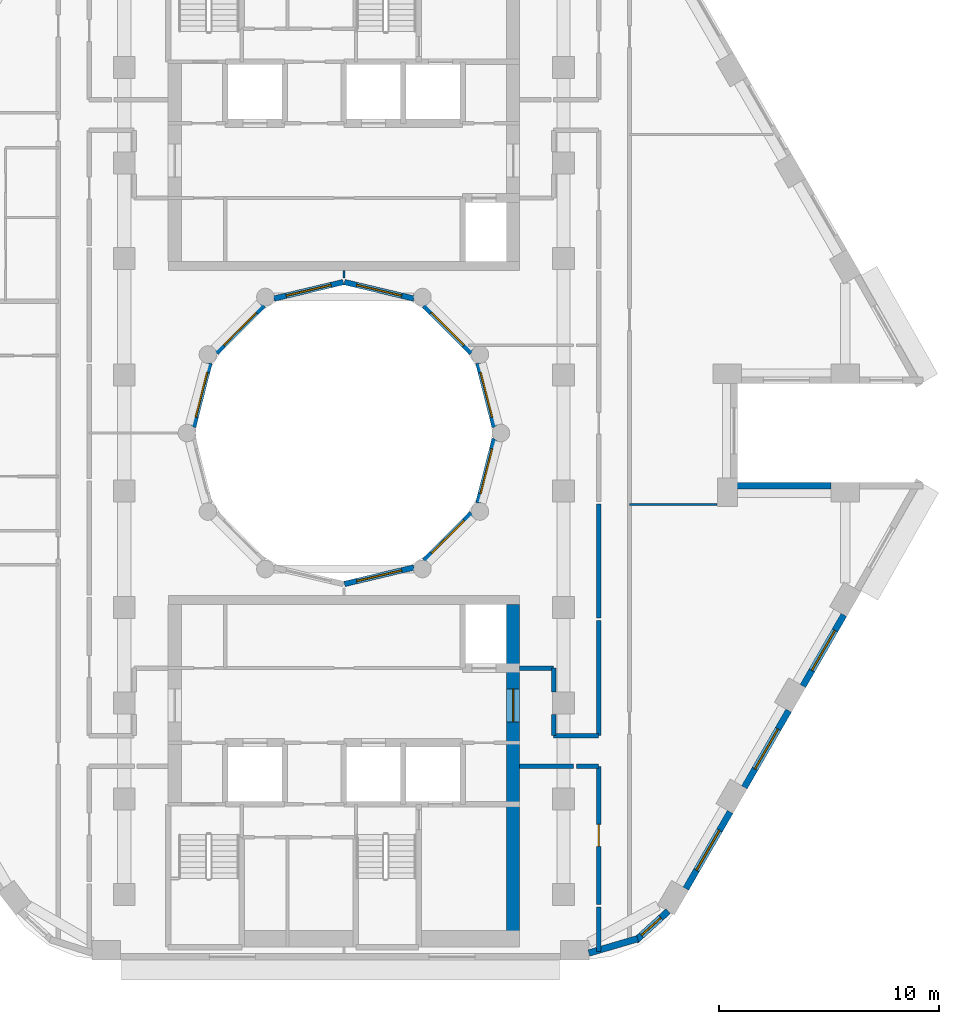
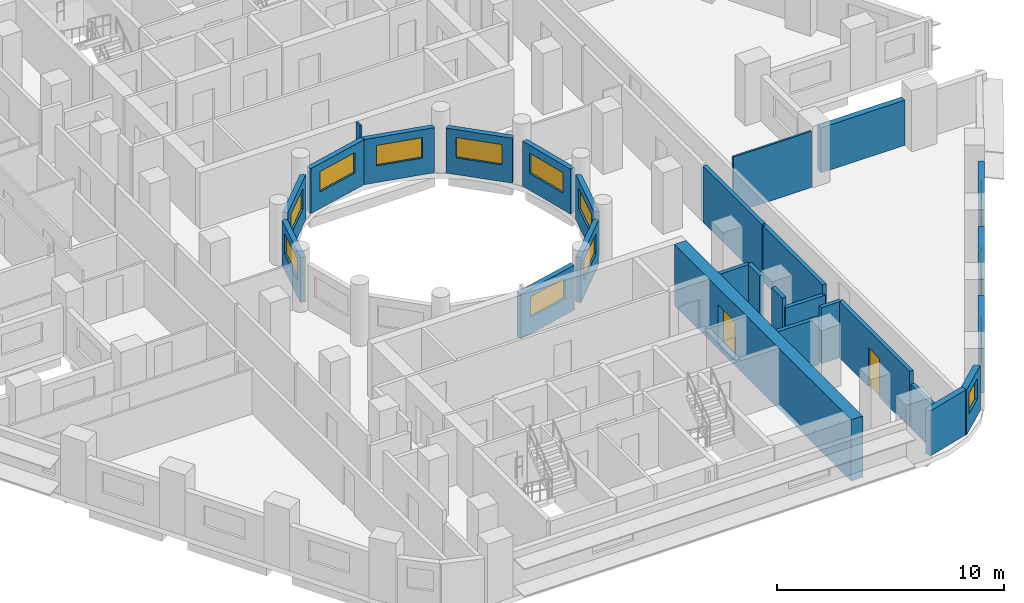
# One storey, part 5 of 13: 28 walls, 13 windows, 2 doors, 15 openings.
"""IFC4 building model written with IfcOpenShell, lengths in metres."""

from ifc_helpers import new_model, si_unit, direction, frame, frame_2d, origin, place, context, subcontext, project, spatial, rectangle, extrude, material, layer, layer_set, type_object, element, fill, save


model = new_model("IFC4")

# Units and contexts
model_context = context("Model", 3, precision=1e-05, world=origin(), true_north=direction((0.0, 1.0)))
body_context = subcontext(model_context, "Body", "Model", "MODEL_VIEW")
ifc_project = project(units=[si_unit("LENGTHUNIT", "METRE"), si_unit("AREAUNIT", "SQUARE_METRE"), si_unit("VOLUMEUNIT", "CUBIC_METRE"), si_unit("PLANEANGLEUNIT", "RADIAN"), si_unit("MASSUNIT", "GRAM", prefix="KILO")], contexts=[model_context])

# Site, building, storey
site_placement = place(None, origin())
site = spatial("IfcSite", under=ifc_project, at=site_placement, CompositionType="ELEMENT")
building_placement = place(site_placement, origin())
building = spatial("IfcBuilding", under=site, at=building_placement, Name="Nakaniwa Court", CompositionType="ELEMENT")
storey_placement = place(building_placement, frame((0.0, 0.0, 130.5)))
storey = spatial("IfcBuildingStorey", under=building, at=storey_placement, Name="L33", CompositionType="ELEMENT", Elevation=130.5)

# Wall
ifc_material_1 = material(Name="Acoustic double stud partition")
ifc_layer_1 = layer(ifc_material_1, 0.199951171875)
ifc_layer_set_1 = layer_set([ifc_layer_1], Name="Acoustic double stud partition")
wall_type_1 = type_object("IfcWallType", Name="Acoustic double stud partition 200", PredefinedType="PARTITIONING", material=ifc_layer_set_1)
wall_1_placement = place(storey_placement, frame((91.60009765625, 56.40087890625, 0.0), z_axis=(0.0, 0.0, 1.0), x_axis=(0.0, 1.0, 0.0)))
element("IfcWall", 1, at=wall_1_placement, inside=storey, type_object=wall_type_1, Name="Partition PW-065", PredefinedType="PARTITIONING", context=body_context, shape_type="SweptSolid", body=[
    extrude(rectangle(XDim=2.02197265625, YDim=0.199951171875, at=frame_2d((1.010986328125, 0.0))), origin(), (0.0, 0.0, 1.0), 2.405029296875),
])

# Wall, opening, door
wall_2_placement = place(storey_placement, frame((91.60009765625, 58.537109375, 0.0), z_axis=(0.0, 0.0, 1.0), x_axis=(0.0, 1.0, 0.0)))
wall_2 = element("IfcWall", 2, at=wall_2_placement, inside=storey, type_object=wall_type_1, Name="Partition PW-066", PredefinedType="PARTITIONING", context=body_context, shape_type="SweptSolid", body=[
    extrude(rectangle(XDim=6.287841796875, YDim=0.199951171875, at=frame_2d((3.14404296875, 0.0))), origin(), (0.0, 0.0, 1.0), 3.02490234375),
])
opening_1_placement = place(wall_2_placement, frame((2.64501953125, 0.0, 0.0)))
opening_1 = element("IfcOpeningElement", 3, at=opening_1_placement, cuts=wall_2, Name="Opening D-02-01", PredefinedType="OPENING", context=body_context, shape_type="SweptSolid", body=[
    extrude(rectangle(XDim=1.0, YDim=2.10009765625, at=frame_2d((0.5, 1.050048828125))), frame((0.0, 0.10986328125, 0.0), z_axis=(0.0, -1.0, 0.0), x_axis=(1.0, 0.0, 0.0)), (0.0, 0.0, 1.0), 0.219970703125),
])
ifc_material_2 = material(Name="Solid core timber door set, black veneer", Category="wood")
door_type_1 = type_object("IfcDoorType", Name="Internal door 1000", OperationType="NOTDEFINED", PredefinedType="DOOR", material=ifc_material_2)
door_1_placement = place(opening_1_placement, origin())
door_1 = element("IfcDoor", 4, at=door_1_placement, inside=storey, type_object=door_type_1, Name="Door D-02-01 L33-021", OperationType="SINGLE_SWING_RIGHT", OverallHeight=2.10009765625, OverallWidth=1.0, PredefinedType="DOOR", context=body_context, shape_type="SweptSolid", body=[
    extrude(rectangle(XDim=1.0, YDim=2.10009765625, at=frame_2d((0.5, 1.050048828125))), frame((0.0, 0.02490234375, 0.0), z_axis=(0.0, -1.0, 0.0), x_axis=(1.0, 0.0, 0.0)), (0.0, 0.0, 1.0), 0.050048828125),
])
fill(opening_1, door_1)

# Walls
wall_3_placement = place(storey_placement, frame((91.60009765625, 66.22509765625, 0.0), z_axis=(0.0, 0.0, 1.0), x_axis=(0.0, 1.0, 0.0)))
element("IfcWall", 5, at=wall_3_placement, inside=storey, type_object=wall_type_1, Name="Partition PW-067", PredefinedType="PARTITIONING", context=body_context, shape_type="SweptSolid", body=[
    extrude(rectangle(XDim=5.247802734375, YDim=0.199951171875, at=frame_2d((2.6240234375, 0.0))), origin(), (0.0, 0.0, 1.0), 3.02490234375),
])
wall_4_placement = place(storey_placement, frame((91.60009765625, 71.587158203125, 0.0), z_axis=(0.0, 0.0, 1.0), x_axis=(0.0, 1.0, 0.0)))
element("IfcWall", 6, at=wall_4_placement, inside=storey, type_object=wall_type_1, Name="Partition PW-068", PredefinedType="PARTITIONING", context=body_context, shape_type="SweptSolid", body=[
    extrude(rectangle(XDim=5.185546875, YDim=0.199951171875, at=frame_2d((2.5927734375, 0.0))), origin(), (0.0, 0.0, 1.0), 3.02490234375),
])
wall_5_placement = place(storey_placement, frame((88.0, 64.824951171875, 0.0), z_axis=(0.0, 0.0, 1.0), x_axis=(1.0, 0.0, 0.0)))
element("IfcWall", 7, at=wall_5_placement, inside=storey, type_object=wall_type_1, Name="Partition PW-075", PredefinedType="PARTITIONING", context=body_context, shape_type="SweptSolid", body=[
    extrude(rectangle(XDim=2.462890625, YDim=0.199951171875, at=frame_2d((1.2314453125, 0.0))), origin(), (0.0, 0.0, 1.0), 2.5048828125),
])
wall_6_placement = place(storey_placement, frame((90.5771484375, 64.824951171875, 0.0), z_axis=(0.0, 0.0, 1.0), x_axis=(1.0, 0.0, 0.0)))
element("IfcWall", 8, at=wall_6_placement, inside=storey, type_object=wall_type_1, Name="Partition PW-076", PredefinedType="PARTITIONING", context=body_context, shape_type="SweptSolid", body=[
    extrude(rectangle(XDim=1.02294921875, YDim=0.199951171875, at=frame_2d((0.511474609375, 0.0))), origin(), (0.0, 0.0, 1.0), 3.02490234375),
])
wall_7_placement = place(storey_placement, frame((88.0, 69.300048828125, 0.0), z_axis=(0.0, 0.0, 1.0), x_axis=(1.0, 0.0, 0.0)))
element("IfcWall", 9, at=wall_7_placement, inside=storey, type_object=wall_type_1, Name="Partition PW-079", PredefinedType="PARTITIONING", context=body_context, shape_type="SweptSolid", body=[
    extrude(rectangle(XDim=1.550048828125, YDim=0.199951171875, at=frame_2d((0.77490234375, 0.0))), origin(), (0.0, 0.0, 1.0), 3.02490234375),
])
wall_8_placement = place(storey_placement, frame((89.550048828125, 66.22509765625, 0.0), z_axis=(0.0, 0.0, 1.0), x_axis=(0.0, 1.0, 0.0)))
element("IfcWall", 10, at=wall_8_placement, inside=storey, type_object=wall_type_1, Name="Partition PW-080", PredefinedType="PARTITIONING", context=body_context, shape_type="SweptSolid", body=[
    extrude(rectangle(XDim=0.957763671875, YDim=0.199951171875, at=frame_2d((0.47900390625, 0.0))), origin(), (0.0, 0.0, 1.0), 3.02490234375),
])
wall_9_placement = place(storey_placement, frame((89.550048828125, 68.21728515625, 0.0), z_axis=(0.0, 0.0, 1.0), x_axis=(0.0, 1.0, 0.0)))
element("IfcWall", 11, at=wall_9_placement, inside=storey, type_object=wall_type_1, Name="Partition PW-081", PredefinedType="PARTITIONING", context=body_context, shape_type="SweptSolid", body=[
    extrude(rectangle(XDim=1.082763671875, YDim=0.199951171875, at=frame_2d((0.54150390625, 0.0))), origin(), (0.0, 0.0, 1.0), 3.02490234375),
])
wall_10_placement = place(storey_placement, frame((89.550048828125, 66.22509765625, 0.0), z_axis=(0.0, 0.0, 1.0), x_axis=(1.0, 0.0, 0.0)))
element("IfcWall", 12, at=wall_10_placement, inside=storey, type_object=wall_type_1, Name="Partition PW-085", PredefinedType="PARTITIONING", context=body_context, shape_type="SweptSolid", body=[
    extrude(rectangle(XDim=2.050048828125, YDim=0.199951171875, at=frame_2d((1.02490234375, 0.0))), origin(), (0.0, 0.0, 1.0), 2.5048828125),
])
ifc_material_3 = material(Name="Charcoal ceramic cladding")
ifc_layer_2 = layer(ifc_material_3, 0.02, Name="Ceramic cladding")
ifc_material_4 = material(Name="Ventilated air cavity")
ifc_layer_3 = layer(ifc_material_4, 0.04, ventilated=True, Name="Ventilated cavity")
ifc_material_5 = material(Name="Mineral wool insulation")
ifc_layer_4 = layer(ifc_material_5, 0.1, Name="Insulation")
ifc_material_6 = material(Name="Cement bonded sheathing board")
ifc_layer_5 = layer(ifc_material_6, 0.012, Name="Sheathing")
ifc_material_7 = material(Name="Cold-formed galvanised stud frame with mineral wool infill")
ifc_layer_6 = layer(ifc_material_7, 0.1, Name="Stud frame")
ifc_material_8 = material(Name="Fire-rated gypsum plasterboard lining")
ifc_layer_7 = layer(ifc_material_8, 0.028, Name="Lining")
ifc_layer_set_2 = layer_set([ifc_layer_2, ifc_layer_3, ifc_layer_4, ifc_layer_5, ifc_layer_6, ifc_layer_7], Name="Charcoal ceramic faced external wall system")
wall_type_2 = type_object("IfcWallType", Name="Black ceramic faced external wall 300", PredefinedType="SOLIDWALL", material=ifc_layer_set_2)
wall_11_placement = place(storey_placement, frame((91.1533203125, 56.328125, 0.0), z_axis=(0.0, 0.0, 1.0), x_axis=(0.959473072336, 0.281800325517, 0.0)))
element("IfcWall", 13, at=wall_11_placement, inside=storey, type_object=wall_type_2, Name="L33 external wall 27", PredefinedType="SOLIDWALL", context=body_context, shape_type="SweptSolid", body=[
    extrude(rectangle(XDim=2.3115234375, YDim=0.300048828125, at=frame_2d((1.15576171875, 0.0))), origin(), (0.0, 0.0, 1.0), 2.425048828125),
])

# Wall, opening, window
wall_12_placement = place(storey_placement, frame((93.2783203125, 56.890380859375, 0.0), z_axis=(0.0, 0.0, 1.0), x_axis=(0.740652597499, 0.671888182526, 0.0)))
wall_12 = element("IfcWall", 14, at=wall_12_placement, inside=storey, type_object=wall_type_2, Name="L33 external wall 28", PredefinedType="SOLIDWALL", context=body_context, shape_type="SweptSolid", body=[
    extrude(rectangle(XDim=1.998779296875, YDim=0.300048828125, at=frame_2d((0.99951171875, 0.0))), origin(), (0.0, 0.0, 1.0), 2.425048828125),
])
opening_2_placement = place(wall_12_placement, frame((0.359619140625, 0.0, 0.89990234375)))
opening_2 = element("IfcOpeningElement", 15, at=opening_2_placement, cuts=wall_12, Name="Opening W6.29", PredefinedType="OPENING", context=body_context, shape_type="SweptSolid", body=[
    extrude(rectangle(XDim=1.199951171875, YDim=1.10009765625, at=frame_2d((0.60009765625, 0.550048828125))), frame((0.0, 0.159912109375, 0.0), z_axis=(0.0, -1.0, 0.0), x_axis=(1.0, 0.0, 0.0)), (0.0, 0.0, 1.0), 0.320068359375),
])
ifc_material_9 = material(Name="Black anodised aluminium frame with dark low-E laminated double glazing", Category="aluminium")
window_type_1 = type_object("IfcWindowType", Name="Dark glass window 1200x1100 sill 900", PartitioningType="SINGLE_PANEL", PredefinedType="WINDOW", material=ifc_material_9)
window_1_placement = place(opening_2_placement, origin())
window_1 = element("IfcWindow", 16, at=window_1_placement, inside=storey, type_object=window_type_1, Name="L33 habitable room window 28-0", OverallHeight=1.10009765625, OverallWidth=1.199951171875, PartitioningType="SINGLE_PANEL", PredefinedType="WINDOW", context=body_context, shape_type="SweptSolid", body=[
    extrude(rectangle(XDim=1.199951171875, YDim=1.10009765625, at=frame_2d((0.60009765625, 0.550048828125))), frame((0.0, 0.030029296875, 0.0), z_axis=(0.0, -1.0, 0.0), x_axis=(1.0, 0.0, 0.0)), (0.0, 0.0, 1.0), 0.06005859375),
])
fill(opening_2, window_1)

wall_13_placement = place(storey_placement, frame((95.565185546875, 59.260009765625, 0.0), z_axis=(0.0, 0.0, 1.0), x_axis=(0.500031546601, 0.86600718958, 0.0)))
wall_13 = element("IfcWall", 17, at=wall_13_placement, inside=storey, type_object=wall_type_2, Name="L33 external wall 29", PredefinedType="SOLIDWALL", context=body_context, shape_type="SweptSolid", body=[
    extrude(rectangle(XDim=4.033935546875, YDim=0.300048828125, at=frame_2d((2.01708984375, 0.0))), origin(), (0.0, 0.0, 1.0), 2.425048828125),
])
opening_3_placement = place(wall_13_placement, frame((0.967041015625, 0.0, 0.89990234375)))
opening_3 = element("IfcOpeningElement", 18, at=opening_3_placement, cuts=wall_13, Name="Opening W7.30", PredefinedType="OPENING", context=body_context, shape_type="SweptSolid", body=[
    extrude(rectangle(XDim=2.10009765625, YDim=1.10009765625, at=frame_2d((1.050048828125, 0.550048828125))), frame((0.0, 0.159912109375, 0.0), z_axis=(0.0, -1.0, 0.0), x_axis=(1.0, 0.0, 0.0)), (0.0, 0.0, 1.0), 0.320068359375),
])
window_type_2 = type_object("IfcWindowType", Name="Dark glass window 2100x1100 sill 900", PartitioningType="SINGLE_PANEL", PredefinedType="WINDOW", material=ifc_material_9)
window_2_placement = place(opening_3_placement, origin())
window_2 = element("IfcWindow", 19, at=window_2_placement, inside=storey, type_object=window_type_2, Name="L33 habitable room window 29-0", OverallHeight=1.10009765625, OverallWidth=2.10009765625, PartitioningType="SINGLE_PANEL", PredefinedType="WINDOW", context=body_context, shape_type="SweptSolid", body=[
    extrude(rectangle(XDim=2.10009765625, YDim=1.10009765625, at=frame_2d((1.050048828125, 0.550048828125))), frame((0.0, 0.030029296875, 0.0), z_axis=(0.0, -1.0, 0.0), x_axis=(1.0, 0.0, 0.0)), (0.0, 0.0, 1.0), 0.06005859375),
])
fill(opening_3, window_2)

wall_14_placement = place(storey_placement, frame((98.228271484375, 63.872314453125, 0.0), z_axis=(0.0, 0.0, 1.0), x_axis=(0.500031546601, 0.86600718958, 0.0)))
wall_14 = element("IfcWall", 20, at=wall_14_placement, inside=storey, type_object=wall_type_2, Name="L33 external wall 30", PredefinedType="SOLIDWALL", context=body_context, shape_type="SweptSolid", body=[
    extrude(rectangle(XDim=4.033935546875, YDim=0.300048828125, at=frame_2d((2.01708984375, 0.0))), origin(), (0.0, 0.0, 1.0), 2.425048828125),
])
opening_4_placement = place(wall_14_placement, frame((0.966796875, 0.0, 0.89990234375)))
opening_4 = element("IfcOpeningElement", 21, at=opening_4_placement, cuts=wall_14, Name="Opening W7.31", PredefinedType="OPENING", context=body_context, shape_type="SweptSolid", body=[
    extrude(rectangle(XDim=2.10009765625, YDim=1.10009765625, at=frame_2d((1.050048828125, 0.550048828125))), frame((0.0, 0.159912109375, 0.0), z_axis=(0.0, -1.0, 0.0), x_axis=(1.0, 0.0, 0.0)), (0.0, 0.0, 1.0), 0.320068359375),
])
window_3_placement = place(opening_4_placement, origin())
window_3 = element("IfcWindow", 22, at=window_3_placement, inside=storey, type_object=window_type_2, Name="L33 habitable room window 30-0", OverallHeight=1.10009765625, OverallWidth=2.10009765625, PartitioningType="SINGLE_PANEL", PredefinedType="WINDOW", context=body_context, shape_type="SweptSolid", body=[
    extrude(rectangle(XDim=2.10009765625, YDim=1.10009765625, at=frame_2d((1.050048828125, 0.550048828125))), frame((0.0, 0.030029296875, 0.0), z_axis=(0.0, -1.0, 0.0), x_axis=(1.0, 0.0, 0.0)), (0.0, 0.0, 1.0), 0.06005859375),
])
fill(opening_4, window_3)

wall_15_placement = place(storey_placement, frame((100.891357421875, 68.484619140625, 0.0), z_axis=(0.0, 0.0, 1.0), x_axis=(0.499933594891, 0.866063739398, 0.0)))
wall_15 = element("IfcWall", 23, at=wall_15_placement, inside=storey, type_object=wall_type_2, Name="L33 external wall 31", PredefinedType="SOLIDWALL", context=body_context, shape_type="SweptSolid", body=[
    extrude(rectangle(XDim=3.73681640625, YDim=0.300048828125, at=frame_2d((1.868408203125, 0.0))), origin(), (0.0, 0.0, 1.0), 2.425048828125),
])
opening_5_placement = place(wall_15_placement, frame((0.818359375, 0.0, 0.89990234375)))
opening_5 = element("IfcOpeningElement", 24, at=opening_5_placement, cuts=wall_15, Name="Opening W7.32", PredefinedType="OPENING", context=body_context, shape_type="SweptSolid", body=[
    extrude(rectangle(XDim=2.10009765625, YDim=1.10009765625, at=frame_2d((1.050048828125, 0.550048828125))), frame((0.0, 0.159912109375, 0.0), z_axis=(0.0, -1.0, 0.0), x_axis=(1.0, 0.0, 0.0)), (0.0, 0.0, 1.0), 0.320068359375),
])
window_4_placement = place(opening_5_placement, origin())
window_4 = element("IfcWindow", 25, at=window_4_placement, inside=storey, type_object=window_type_2, Name="L33 habitable room window 31-0", OverallHeight=1.10009765625, OverallWidth=2.10009765625, PartitioningType="SINGLE_PANEL", PredefinedType="WINDOW", context=body_context, shape_type="SweptSolid", body=[
    extrude(rectangle(XDim=2.10009765625, YDim=1.10009765625, at=frame_2d((1.050048828125, 0.550048828125))), frame((0.0, 0.030029296875, 0.0), z_axis=(0.0, -1.0, 0.0), x_axis=(1.0, 0.0, 0.0)), (0.0, 0.0, 1.0), 0.06005859375),
])
fill(opening_5, window_4)

# Wall
wall_16_placement = place(storey_placement, frame((102.177001953125, 77.60009765625, 0.0), z_axis=(0.0, 0.0, 1.0), x_axis=(-1.0, 0.0, 0.0)))
element("IfcWall", 26, at=wall_16_placement, inside=storey, type_object=wall_type_2, Name="L33 external wall 34", PredefinedType="SOLIDWALL", context=body_context, shape_type="SweptSolid", body=[
    extrude(rectangle(XDim=4.272705078125, YDim=0.300048828125, at=frame_2d((2.13623046875, 0.0))), origin(), (0.0, 0.0, 1.0), 2.425048828125),
])

# Wall, opening, window
ifc_layer_8 = layer(ifc_material_3, 0.02, Name="Ceramic cladding")
ifc_layer_9 = layer(ifc_material_4, 0.04, ventilated=True, Name="Ventilated cavity")
ifc_layer_10 = layer(ifc_material_5, 0.075, Name="Insulation")
ifc_layer_11 = layer(ifc_material_6, 0.012, Name="Sheathing")
ifc_layer_12 = layer(ifc_material_7, 0.075, Name="Stud frame")
ifc_layer_13 = layer(ifc_material_8, 0.028, Name="Lining")
ifc_layer_set_3 = layer_set([ifc_layer_8, ifc_layer_9, ifc_layer_10, ifc_layer_11, ifc_layer_12, ifc_layer_13], Name="Charcoal ceramic faced external wall system")
wall_type_3 = type_object("IfcWallType", Name="Charcoal ceramic faced well wall 250", PredefinedType="SOLIDWALL", material=ifc_layer_set_3)
wall_17_placement = place(storey_placement, frame((86.8603515625, 79.72998046875, 0.0), z_axis=(0.0, 0.0, 1.0), x_axis=(-0.247055971283, -0.969001211069, 0.0)))
wall_17 = element("IfcWall", 27, at=wall_17_placement, inside=storey, type_object=wall_type_3, Name="L33 external wall 36", PredefinedType="SOLIDWALL", context=body_context, shape_type="SweptSolid", body=[
    extrude(rectangle(XDim=3.010009765625, YDim=0.25, at=frame_2d((1.5048828125, 0.0))), origin(), (0.0, 0.0, 1.0), 2.425048828125),
])
opening_6_placement = place(wall_17_placement, frame((0.46875, 0.0, 0.89990234375)))
opening_6 = element("IfcOpeningElement", 28, at=opening_6_placement, cuts=wall_17, Name="Opening W7.35", PredefinedType="OPENING", context=body_context, shape_type="SweptSolid", body=[
    extrude(rectangle(XDim=2.10009765625, YDim=1.10009765625, at=frame_2d((1.050048828125, 0.550048828125))), frame((0.0, 0.135009765625, 0.0), z_axis=(0.0, -1.0, 0.0), x_axis=(1.0, 0.0, 0.0)), (0.0, 0.0, 1.0), 0.27001953125),
])
window_5_placement = place(opening_6_placement, origin())
window_5 = element("IfcWindow", 29, at=window_5_placement, inside=storey, type_object=window_type_2, Name="L33 habitable room window 36-0", OverallHeight=1.10009765625, OverallWidth=2.10009765625, PartitioningType="SINGLE_PANEL", PredefinedType="WINDOW", context=body_context, shape_type="SweptSolid", body=[
    extrude(rectangle(XDim=2.10009765625, YDim=1.10009765625, at=frame_2d((1.050048828125, 0.550048828125))), frame((0.0, 0.030029296875, 0.0), z_axis=(0.0, -1.0, 0.0), x_axis=(1.0, 0.0, 0.0)), (0.0, 0.0, 1.0), 0.06005859375),
])
fill(opening_6, window_5)

wall_18_placement = place(storey_placement, frame((85.8056640625, 76.339111328125, 0.0), z_axis=(0.0, 0.0, 1.0), x_axis=(-0.707106781187, -0.707106781187, 0.0)))
wall_18 = element("IfcWall", 30, at=wall_18_placement, inside=storey, type_object=wall_type_3, Name="L33 external wall 37", PredefinedType="SOLIDWALL", context=body_context, shape_type="SweptSolid", body=[
    extrude(rectangle(XDim=3.033203125, YDim=0.25, at=frame_2d((1.5166015625, 0.0))), origin(), (0.0, 0.0, 1.0), 2.425048828125),
])
opening_7_placement = place(wall_18_placement, frame((0.466552734375, 0.0, 0.89990234375)))
opening_7 = element("IfcOpeningElement", 31, at=opening_7_placement, cuts=wall_18, Name="Opening W7.36", PredefinedType="OPENING", context=body_context, shape_type="SweptSolid", body=[
    extrude(rectangle(XDim=2.10009765625, YDim=1.10009765625, at=frame_2d((1.050048828125, 0.550048828125))), frame((0.0, 0.135009765625, 0.0), z_axis=(0.0, -1.0, 0.0), x_axis=(1.0, 0.0, 0.0)), (0.0, 0.0, 1.0), 0.27001953125),
])
window_6_placement = place(opening_7_placement, origin())
window_6 = element("IfcWindow", 32, at=window_6_placement, inside=storey, type_object=window_type_2, Name="L33 habitable room window 37-0", OverallHeight=1.10009765625, OverallWidth=2.10009765625, PartitioningType="SINGLE_PANEL", PredefinedType="WINDOW", context=body_context, shape_type="SweptSolid", body=[
    extrude(rectangle(XDim=2.10009765625, YDim=1.10009765625, at=frame_2d((1.050048828125, 0.550048828125))), frame((0.0, 0.030029296875, 0.0), z_axis=(0.0, -1.0, 0.0), x_axis=(1.0, 0.0, 0.0)), (0.0, 0.0, 1.0), 0.06005859375),
])
fill(opening_7, window_6)

wall_19_placement = place(storey_placement, frame((83.186279296875, 73.880615234375, 0.0), z_axis=(0.0, 0.0, 1.0), x_axis=(-0.972773113459, -0.231759508395, 0.0)))
wall_19 = element("IfcWall", 33, at=wall_19_placement, inside=storey, type_object=wall_type_3, Name="L33 external wall 38", PredefinedType="SOLIDWALL", context=body_context, shape_type="SweptSolid", body=[
    extrude(rectangle(XDim=3.24560546875, YDim=0.25, at=frame_2d((1.622802734375, 0.0))), origin(), (0.0, 0.0, 1.0), 2.425048828125),
])
opening_8_placement = place(wall_19_placement, frame((0.57275390625, 0.0, 0.89990234375)))
opening_8 = element("IfcOpeningElement", 34, at=opening_8_placement, cuts=wall_19, Name="Opening W7.37", PredefinedType="OPENING", context=body_context, shape_type="SweptSolid", body=[
    extrude(rectangle(XDim=2.10009765625, YDim=1.10009765625, at=frame_2d((1.050048828125, 0.550048828125))), frame((0.0, 0.135009765625, 0.0), z_axis=(0.0, -1.0, 0.0), x_axis=(1.0, 0.0, 0.0)), (0.0, 0.0, 1.0), 0.27001953125),
])
window_7_placement = place(opening_8_placement, origin())
window_7 = element("IfcWindow", 35, at=window_7_placement, inside=storey, type_object=window_type_2, Name="L33 habitable room window 38-0", OverallHeight=1.10009765625, OverallWidth=2.10009765625, PartitioningType="SINGLE_PANEL", PredefinedType="WINDOW", context=body_context, shape_type="SweptSolid", body=[
    extrude(rectangle(XDim=2.10009765625, YDim=1.10009765625, at=frame_2d((1.050048828125, 0.550048828125))), frame((0.0, 0.030029296875, 0.0), z_axis=(0.0, -1.0, 0.0), x_axis=(1.0, 0.0, 0.0)), (0.0, 0.0, 1.0), 0.06005859375),
])
fill(opening_8, window_7)

wall_20_placement = place(storey_placement, frame((73.1396484375, 80.27001953125, 0.0), z_axis=(0.0, 0.0, 1.0), x_axis=(0.247055971283, 0.969001211069, 0.0)))
wall_20 = element("IfcWall", 36, at=wall_20_placement, inside=storey, type_object=wall_type_3, Name="L33 external wall 42", PredefinedType="SOLIDWALL", context=body_context, shape_type="SweptSolid", body=[
    extrude(rectangle(XDim=3.010009765625, YDim=0.25, at=frame_2d((1.5048828125, 0.0))), origin(), (0.0, 0.0, 1.0), 2.425048828125),
])
opening_9_placement = place(wall_20_placement, frame((0.46875, 0.0, 0.89990234375)))
opening_9 = element("IfcOpeningElement", 37, at=opening_9_placement, cuts=wall_20, Name="Opening W7.41", PredefinedType="OPENING", context=body_context, shape_type="SweptSolid", body=[
    extrude(rectangle(XDim=2.10009765625, YDim=1.10009765625, at=frame_2d((1.050048828125, 0.550048828125))), frame((0.0, 0.135009765625, 0.0), z_axis=(0.0, -1.0, 0.0), x_axis=(1.0, 0.0, 0.0)), (0.0, 0.0, 1.0), 0.27001953125),
])
window_8_placement = place(opening_9_placement, origin())
window_8 = element("IfcWindow", 38, at=window_8_placement, inside=storey, type_object=window_type_2, Name="L33 habitable room window 42-0", OverallHeight=1.10009765625, OverallWidth=2.10009765625, PartitioningType="SINGLE_PANEL", PredefinedType="WINDOW", context=body_context, shape_type="SweptSolid", body=[
    extrude(rectangle(XDim=2.10009765625, YDim=1.10009765625, at=frame_2d((1.050048828125, 0.550048828125))), frame((0.0, 0.030029296875, 0.0), z_axis=(0.0, -1.0, 0.0), x_axis=(1.0, 0.0, 0.0)), (0.0, 0.0, 1.0), 0.06005859375),
])
fill(opening_9, window_8)

wall_21_placement = place(storey_placement, frame((74.1943359375, 83.660888671875, 0.0), z_axis=(0.0, 0.0, 1.0), x_axis=(0.707106781187, 0.707106781187, 0.0)))
wall_21 = element("IfcWall", 39, at=wall_21_placement, inside=storey, type_object=wall_type_3, Name="L33 external wall 43", PredefinedType="SOLIDWALL", context=body_context, shape_type="SweptSolid", body=[
    extrude(rectangle(XDim=3.033203125, YDim=0.25, at=frame_2d((1.5166015625, 0.0))), origin(), (0.0, 0.0, 1.0), 2.425048828125),
])
opening_10_placement = place(wall_21_placement, frame((0.466552734375, 0.0, 0.89990234375)))
opening_10 = element("IfcOpeningElement", 40, at=opening_10_placement, cuts=wall_21, Name="Opening W7.42", PredefinedType="OPENING", context=body_context, shape_type="SweptSolid", body=[
    extrude(rectangle(XDim=2.10009765625, YDim=1.10009765625, at=frame_2d((1.050048828125, 0.550048828125))), frame((0.0, 0.135009765625, 0.0), z_axis=(0.0, -1.0, 0.0), x_axis=(1.0, 0.0, 0.0)), (0.0, 0.0, 1.0), 0.27001953125),
])
window_9_placement = place(opening_10_placement, origin())
window_9 = element("IfcWindow", 41, at=window_9_placement, inside=storey, type_object=window_type_2, Name="L33 habitable room window 43-0", OverallHeight=1.10009765625, OverallWidth=2.10009765625, PartitioningType="SINGLE_PANEL", PredefinedType="WINDOW", context=body_context, shape_type="SweptSolid", body=[
    extrude(rectangle(XDim=2.10009765625, YDim=1.10009765625, at=frame_2d((1.050048828125, 0.550048828125))), frame((0.0, 0.030029296875, 0.0), z_axis=(0.0, -1.0, 0.0), x_axis=(1.0, 0.0, 0.0)), (0.0, 0.0, 1.0), 0.06005859375),
])
fill(opening_10, window_9)

wall_22_placement = place(storey_placement, frame((76.813720703125, 86.119384765625, 0.0), z_axis=(0.0, 0.0, 1.0), x_axis=(0.972773113459, 0.231759508395, 0.0)))
wall_22 = element("IfcWall", 42, at=wall_22_placement, inside=storey, type_object=wall_type_3, Name="L33 external wall 44", PredefinedType="SOLIDWALL", context=body_context, shape_type="SweptSolid", body=[
    extrude(rectangle(XDim=3.24560546875, YDim=0.25, at=frame_2d((1.622802734375, 0.0))), origin(), (0.0, 0.0, 1.0), 2.425048828125),
])
opening_11_placement = place(wall_22_placement, frame((0.57275390625, 0.0, 0.89990234375)))
opening_11 = element("IfcOpeningElement", 43, at=opening_11_placement, cuts=wall_22, Name="Opening W7.43", PredefinedType="OPENING", context=body_context, shape_type="SweptSolid", body=[
    extrude(rectangle(XDim=2.10009765625, YDim=1.10009765625, at=frame_2d((1.050048828125, 0.550048828125))), frame((0.0, 0.135009765625, 0.0), z_axis=(0.0, -1.0, 0.0), x_axis=(1.0, 0.0, 0.0)), (0.0, 0.0, 1.0), 0.27001953125),
])
window_10_placement = place(opening_11_placement, origin())
window_10 = element("IfcWindow", 44, at=window_10_placement, inside=storey, type_object=window_type_2, Name="L33 habitable room window 44-0", OverallHeight=1.10009765625, OverallWidth=2.10009765625, PartitioningType="SINGLE_PANEL", PredefinedType="WINDOW", context=body_context, shape_type="SweptSolid", body=[
    extrude(rectangle(XDim=2.10009765625, YDim=1.10009765625, at=frame_2d((1.050048828125, 0.550048828125))), frame((0.0, 0.030029296875, 0.0), z_axis=(0.0, -1.0, 0.0), x_axis=(1.0, 0.0, 0.0)), (0.0, 0.0, 1.0), 0.06005859375),
])
fill(opening_11, window_10)

wall_23_placement = place(storey_placement, frame((80.029052734375, 86.87158203125, 0.0), z_axis=(0.0, 0.0, 1.0), x_axis=(0.972773113459, -0.231759508395, 0.0)))
wall_23 = element("IfcWall", 45, at=wall_23_placement, inside=storey, type_object=wall_type_3, Name="L33 external wall 45", PredefinedType="SOLIDWALL", context=body_context, shape_type="SweptSolid", body=[
    extrude(rectangle(XDim=3.24560546875, YDim=0.25, at=frame_2d((1.622802734375, 0.0))), origin(), (0.0, 0.0, 1.0), 2.425048828125),
])
opening_12_placement = place(wall_23_placement, frame((0.57275390625, 0.0, 0.89990234375)))
opening_12 = element("IfcOpeningElement", 46, at=opening_12_placement, cuts=wall_23, Name="Opening W7.44", PredefinedType="OPENING", context=body_context, shape_type="SweptSolid", body=[
    extrude(rectangle(XDim=2.10009765625, YDim=1.10009765625, at=frame_2d((1.050048828125, 0.550048828125))), frame((0.0, 0.135009765625, 0.0), z_axis=(0.0, -1.0, 0.0), x_axis=(1.0, 0.0, 0.0)), (0.0, 0.0, 1.0), 0.27001953125),
])
window_11_placement = place(opening_12_placement, origin())
window_11 = element("IfcWindow", 47, at=window_11_placement, inside=storey, type_object=window_type_2, Name="L33 habitable room window 45-0", OverallHeight=1.10009765625, OverallWidth=2.10009765625, PartitioningType="SINGLE_PANEL", PredefinedType="WINDOW", context=body_context, shape_type="SweptSolid", body=[
    extrude(rectangle(XDim=2.10009765625, YDim=1.10009765625, at=frame_2d((1.050048828125, 0.550048828125))), frame((0.0, 0.030029296875, 0.0), z_axis=(0.0, -1.0, 0.0), x_axis=(1.0, 0.0, 0.0)), (0.0, 0.0, 1.0), 0.06005859375),
])
fill(opening_12, window_11)

wall_24_placement = place(storey_placement, frame((83.660888671875, 85.8056640625, 0.0), z_axis=(0.0, 0.0, 1.0), x_axis=(0.707106781187, -0.707106781187, 0.0)))
wall_24 = element("IfcWall", 48, at=wall_24_placement, inside=storey, type_object=wall_type_3, Name="L33 external wall 46", PredefinedType="SOLIDWALL", context=body_context, shape_type="SweptSolid", body=[
    extrude(rectangle(XDim=3.033203125, YDim=0.25, at=frame_2d((1.5166015625, 0.0))), origin(), (0.0, 0.0, 1.0), 2.425048828125),
])
opening_13_placement = place(wall_24_placement, frame((0.452392578125, 0.0, 0.89990234375)))
opening_13 = element("IfcOpeningElement", 49, at=opening_13_placement, cuts=wall_24, Name="Opening W7.45", PredefinedType="OPENING", context=body_context, shape_type="SweptSolid", body=[
    extrude(rectangle(XDim=2.10009765625, YDim=1.10009765625, at=frame_2d((1.050048828125, 0.550048828125))), frame((0.0, 0.135009765625, 0.0), z_axis=(0.0, -1.0, 0.0), x_axis=(1.0, 0.0, 0.0)), (0.0, 0.0, 1.0), 0.27001953125),
])
window_12_placement = place(opening_13_placement, origin())
window_12 = element("IfcWindow", 50, at=window_12_placement, inside=storey, type_object=window_type_2, Name="L33 habitable room window 46-0", OverallHeight=1.10009765625, OverallWidth=2.10009765625, PartitioningType="SINGLE_PANEL", PredefinedType="WINDOW", context=body_context, shape_type="SweptSolid", body=[
    extrude(rectangle(XDim=2.10009765625, YDim=1.10009765625, at=frame_2d((1.050048828125, 0.550048828125))), frame((0.0, 0.030029296875, 0.0), z_axis=(0.0, -1.0, 0.0), x_axis=(1.0, 0.0, 0.0)), (0.0, 0.0, 1.0), 0.06005859375),
])
fill(opening_13, window_12)

wall_25_placement = place(storey_placement, frame((86.11669921875, 83.186767578125, 0.0), z_axis=(0.0, 0.0, 1.0), x_axis=(0.247055971283, -0.969001211069, 0.0)))
wall_25 = element("IfcWall", 51, at=wall_25_placement, inside=storey, type_object=wall_type_3, Name="L33 external wall 47", PredefinedType="SOLIDWALL", context=body_context, shape_type="SweptSolid", body=[
    extrude(rectangle(XDim=3.010009765625, YDim=0.25, at=frame_2d((1.5048828125, 0.0))), origin(), (0.0, 0.0, 1.0), 2.425048828125),
])
opening_14_placement = place(wall_25_placement, frame((0.441162109375, 0.0, 0.89990234375)))
opening_14 = element("IfcOpeningElement", 52, at=opening_14_placement, cuts=wall_25, Name="Opening W7.46", PredefinedType="OPENING", context=body_context, shape_type="SweptSolid", body=[
    extrude(rectangle(XDim=2.10009765625, YDim=1.10009765625, at=frame_2d((1.050048828125, 0.550048828125))), frame((0.0, 0.135009765625, 0.0), z_axis=(0.0, -1.0, 0.0), x_axis=(1.0, 0.0, 0.0)), (0.0, 0.0, 1.0), 0.27001953125),
])
window_13_placement = place(opening_14_placement, origin())
window_13 = element("IfcWindow", 53, at=window_13_placement, inside=storey, type_object=window_type_2, Name="L33 habitable room window 47-0", OverallHeight=1.10009765625, OverallWidth=2.10009765625, PartitioningType="SINGLE_PANEL", PredefinedType="WINDOW", context=body_context, shape_type="SweptSolid", body=[
    extrude(rectangle(XDim=2.10009765625, YDim=1.10009765625, at=frame_2d((1.050048828125, 0.550048828125))), frame((0.0, 0.030029296875, 0.0), z_axis=(0.0, -1.0, 0.0), x_axis=(1.0, 0.0, 0.0)), (0.0, 0.0, 1.0), 0.06005859375),
])
fill(opening_14, window_13)

# Wall, opening, door
ifc_material_10 = material(Name="Concrete C80/100", Category="concrete")
ifc_layer_14 = layer(ifc_material_10, 0.60009765625)
ifc_layer_set_4 = layer_set([ifc_layer_14], Name="Concrete C80/100")
wall_type_4 = type_object("IfcWallType", Name="Concrete core side wall 600 C80", PredefinedType="SHEAR", material=ifc_layer_set_4)
wall_26_placement = place(storey_placement, frame((87.699951171875, 72.199951171875, -0.27490234375), z_axis=(0.0, 0.0, 1.0), x_axis=(0.0, -1.0, 0.0)))
wall_26 = element("IfcWall", 54, at=wall_26_placement, inside=storey, type_object=wall_type_4, Name="Core wall SW-39", PredefinedType="SHEAR", context=body_context, shape_type="SweptSolid", body=[
    extrude(rectangle(XDim=15.599853515625, YDim=0.60009765625, at=frame_2d((7.7998046875, 0.0))), origin(), (0.0, 0.0, 1.0), 3.2998046875),
])
opening_15_placement = place(wall_26_placement, frame((3.85205078125, 0.0, 0.27490234375)))
opening_15 = element("IfcOpeningElement", 55, at=opening_15_placement, cuts=wall_26, Name="Opening D-07-03", PredefinedType="OPENING", context=body_context, shape_type="SweptSolid", body=[
    extrude(rectangle(XDim=1.5, YDim=2.10009765625, at=frame_2d((0.75, 1.050048828125))), frame((0.0, 0.31005859375, 0.0), z_axis=(0.0, -1.0, 0.0), x_axis=(1.0, 0.0, 0.0)), (0.0, 0.0, 1.0), 0.6201171875),
])
ifc_material_11 = material(Name="Glazed fire rated steel double door set", Category="steel")
door_type_2 = type_object("IfcDoorType", Name="Lobby double door 1500", OperationType="NOTDEFINED", PredefinedType="DOOR", material=ifc_material_11)
door_2_placement = place(opening_15_placement, origin())
door_2 = element("IfcDoor", 56, at=door_2_placement, inside=storey, type_object=door_type_2, Name="Door D-07-03 L33-045", OperationType="DOUBLE_DOOR_SINGLE_SWING", OverallHeight=2.10009765625, OverallWidth=1.5, PredefinedType="DOOR", context=body_context, shape_type="SweptSolid", body=[
    extrude(rectangle(XDim=1.5, YDim=2.10009765625, at=frame_2d((0.75, 1.050048828125))), frame((0.0, 0.02490234375, 0.0), z_axis=(0.0, -1.0, 0.0), x_axis=(1.0, 0.0, 0.0)), (0.0, 0.0, 1.0), 0.050048828125),
])
fill(opening_15, door_2)

# Walls
ifc_material_12 = material(Name="Single stud plasterboard partition")
ifc_layer_15 = layer(ifc_material_12, 0.10009765625)
ifc_layer_set_5 = layer_set([ifc_layer_15], Name="Single stud plasterboard partition")
wall_type_5 = type_object("IfcWallType", Name="Single stud plasterboard partition 100", PredefinedType="PARTITIONING", material=ifc_layer_set_5)
wall_27_placement = place(storey_placement, frame((80.0, 87.048095703125, 0.0), z_axis=(0.0, 0.0, 1.0), x_axis=(0.0, 1.0, 0.0)))
element("IfcWall", 57, at=wall_27_placement, inside=storey, type_object=wall_type_5, Name="Partition PW-110", PredefinedType="PARTITIONING", context=body_context, shape_type="SweptSolid", body=[
    extrude(rectangle(XDim=0.351806640625, YDim=0.10009765625, at=frame_2d((0.17578125, 0.0))), origin(), (0.0, 0.0, 1.0), 3.02490234375),
])
wall_28_placement = place(storey_placement, frame((93.0009765625, 76.75, 0.0), z_axis=(0.0, 0.0, 1.0), x_axis=(1.0, 0.0, 0.0)))
element("IfcWall", 58, at=wall_28_placement, inside=storey, type_object=wall_type_5, Name="Partition PW-112", PredefinedType="PARTITIONING", context=body_context, shape_type="SweptSolid", body=[
    extrude(rectangle(XDim=3.9873046875, YDim=0.10009765625, at=frame_2d((1.99365234375, 0.0))), origin(), (0.0, 0.0, 1.0), 3.02490234375),
])

save(model, "model.ifc")
